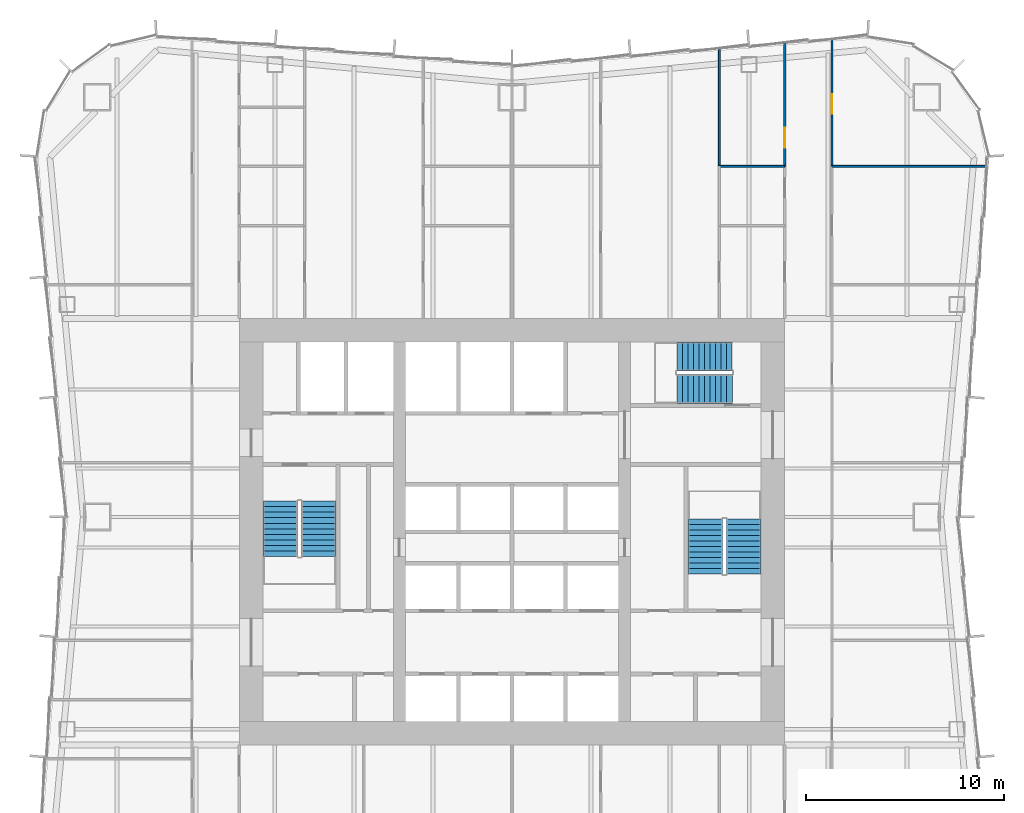
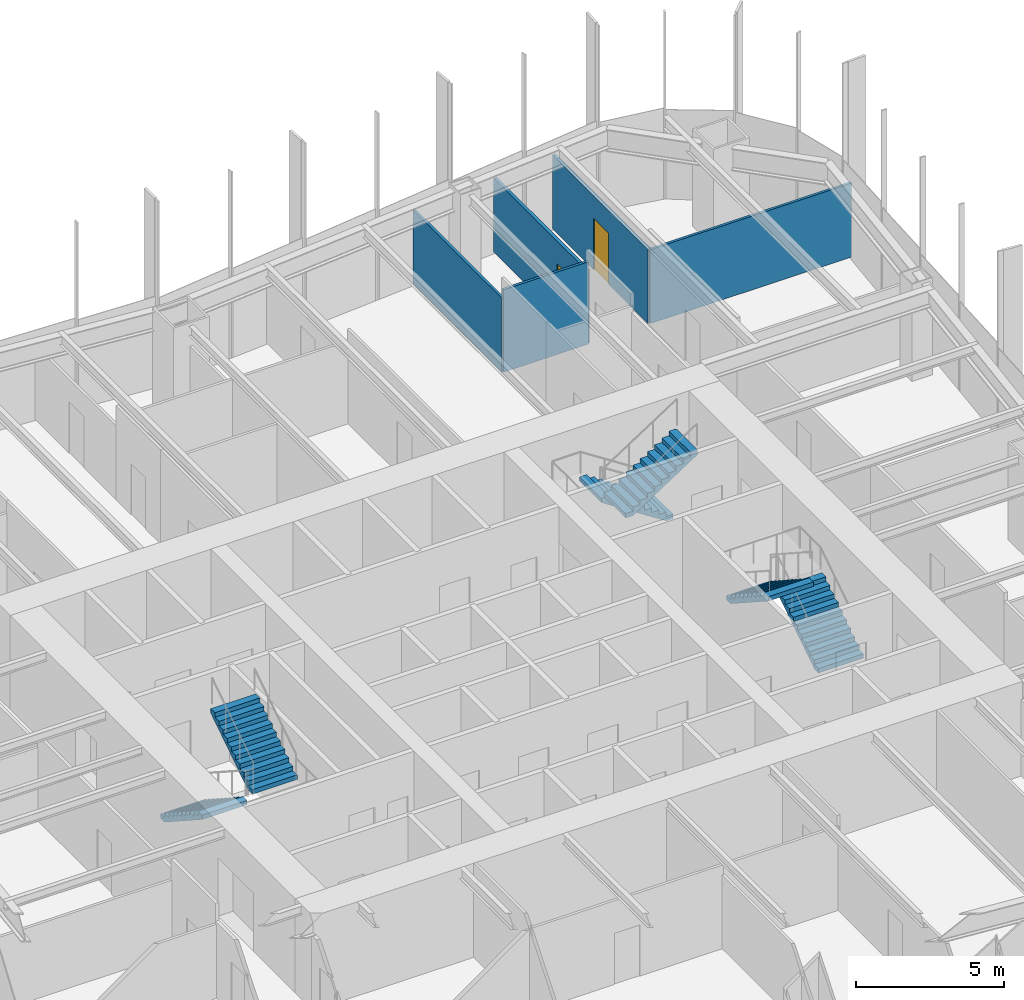
# One storey, part 12 of 13: 6 stair flights, 5 walls, 2 doors, 2 openings, 3 elements without a shape of their own.
"""IFC4 building model written with IfcOpenShell, lengths in metres."""

from ifc_helpers import new_model, si_unit, direction, frame, frame_2d, origin, place, context, subcontext, project, spatial, polyline, rectangle, outline, extrude, material, layer, layer_set, type_object, element, fill, aggregate, save


model = new_model("IFC4")

# Units and contexts
model_context = context("Model", 3, precision=1e-05, world=origin(), true_north=direction((0.0, 1.0)))
body_context = subcontext(model_context, "Body", "Model", "MODEL_VIEW")
ifc_project = project(units=[si_unit("LENGTHUNIT", "METRE"), si_unit("AREAUNIT", "SQUARE_METRE"), si_unit("VOLUMEUNIT", "CUBIC_METRE"), si_unit("PLANEANGLEUNIT", "RADIAN"), si_unit("MASSUNIT", "GRAM", prefix="KILO")], contexts=[model_context])

# Site, building, storey
site_placement = place(None, origin())
site = spatial("IfcSite", under=ifc_project, at=site_placement, CompositionType="ELEMENT")
building_placement = place(site_placement, origin())
building = spatial("IfcBuilding", under=site, at=building_placement, Name="Verdant Reach Tower", CompositionType="ELEMENT")
storey_placement = place(building_placement, frame((0.0, 0.0, 106.0)))
storey = spatial("IfcBuildingStorey", under=building, at=storey_placement, Name="L24", CompositionType="ELEMENT", Elevation=106.0)

# Walls
ifc_material_1 = material(Name="Gypsum board on steel studs", Category="steel")
ifc_layer_1 = layer(ifc_material_1, 0.10009765625)
ifc_layer_set_1 = layer_set([ifc_layer_1], Name="FL-W1 Partition 100")
wall_type_1 = type_object("IfcWallType", Name="FL-W1 Partition 100", PredefinedType="PARTITIONING", material=ifc_layer_set_1)
wall_1_placement = place(storey_placement, frame((24.038818359375, 46.5, 0.0), z_axis=(0.0, 0.0, 1.0), x_axis=(-1.0, 0.0, 0.0)))
element("IfcWall", 1, at=wall_1_placement, inside=storey, type_object=wall_type_1, Name="Partition 24.37", PredefinedType="PARTITIONING", context=body_context, shape_type="SweptSolid", body=[
    extrude(rectangle(XDim=7.8388671875, YDim=0.10009765625, at=frame_2d((3.91943359375, 0.0))), origin(), (0.0, 0.0, 1.0), 3.0400390625),
])
wall_2_placement = place(storey_placement, frame((13.800048828125, 46.5, 0.0), z_axis=(0.0, 0.0, 1.0), x_axis=(-1.0, 0.0, 0.0)))
element("IfcWall", 2, at=wall_2_placement, inside=storey, type_object=wall_type_1, Name="Partition 24.71", PredefinedType="PARTITIONING", context=body_context, shape_type="SweptSolid", body=[
    extrude(rectangle(XDim=3.300048828125, YDim=0.10009765625, at=frame_2d((1.64990234375, 0.0))), origin(), (0.0, 0.0, 1.0), 3.389892578125),
])
wall_3_placement = place(storey_placement, frame((10.5, 52.455078125, 0.0), z_axis=(0.0, 0.0, 1.0), x_axis=(0.0, -1.0, 0.0)))
element("IfcWall", 3, at=wall_3_placement, inside=storey, type_object=wall_type_1, Name="Partition 24.73", PredefinedType="PARTITIONING", context=body_context, shape_type="SweptSolid", body=[
    extrude(rectangle(XDim=5.958984375, YDim=0.10009765625, at=frame_2d((2.9794921875, 0.0))), origin(), (0.0, 0.0, 1.0), 3.0400390625),
])

# Wall, opening, door
ifc_material_2 = material(Name="Gypsum board on steel studs, fire rated", Category="steel")
ifc_layer_2 = layer(ifc_material_2, 0.125)
ifc_layer_set_2 = layer_set([ifc_layer_2], Name="FL-W2 Corridor wall 125")
wall_type_2 = type_object("IfcWallType", Name="FL-W2 Corridor wall 125", PredefinedType="PARTITIONING", material=ifc_layer_set_2)
wall_4_placement = place(storey_placement, frame((16.199951171875, 52.929931640625, 0.0), z_axis=(0.0, 0.0, 1.0), x_axis=(0.0, -1.0, 0.0)))
wall_4 = element("IfcWall", 4, at=wall_4_placement, inside=storey, type_object=wall_type_2, Name="Partition 24.20", PredefinedType="PARTITIONING", context=body_context, shape_type="SweptSolid", body=[
    extrude(rectangle(XDim=6.429931640625, YDim=0.125, at=frame_2d((3.21484375, 0.0))), origin(), (0.0, 0.0, 1.0), 3.0400390625),
])
opening_1_placement = place(wall_4_placement, frame((2.780029296875, 0.0, 0.0)))
opening_1 = element("IfcOpeningElement", 5, at=opening_1_placement, cuts=wall_4, Name="Opening D2", PredefinedType="OPENING", context=body_context, shape_type="SweptSolid", body=[
    extrude(rectangle(XDim=1.0, YDim=2.10009765625, at=frame_2d((0.5, 1.050048828125))), frame((0.0, 0.072509765625, 0.0), z_axis=(0.0, -1.0, 0.0), x_axis=(1.0, 0.0, 0.0)), (0.0, 0.0, 1.0), 0.14501953125),
])
ifc_material_3 = material(Name="Timber door leaf, fire rated", Category="wood")
door_type = type_object("IfcDoorType", Name="FL-D2 Entrance door 1000x2100 FD30", OperationType="NOTDEFINED", PredefinedType="DOOR", material=ifc_material_3)
door_1_placement = place(opening_1_placement, origin())
door_1 = element("IfcDoor", 6, at=door_1_placement, inside=storey, type_object=door_type, Name="Door 24-019", OperationType="SINGLE_SWING_RIGHT", OverallHeight=2.10009765625, OverallWidth=1.0, PredefinedType="DOOR", context=body_context, shape_type="SweptSolid", body=[
    extrude(rectangle(XDim=1.0, YDim=2.10009765625, at=frame_2d((0.5, 1.050048828125))), frame((0.0, 0.02490234375, 0.0), z_axis=(0.0, -1.0, 0.0), x_axis=(1.0, 0.0, 0.0)), (0.0, 0.0, 1.0), 0.050048828125),
])
fill(opening_1, door_1)

wall_5_placement = place(storey_placement, frame((13.800048828125, 46.5, 0.0), z_axis=(0.0, 0.0, 1.0), x_axis=(0.0, 1.0, 0.0)))
wall_5 = element("IfcWall", 7, at=wall_5_placement, inside=storey, type_object=wall_type_2, Name="Partition 24.26", PredefinedType="PARTITIONING", context=body_context, shape_type="SweptSolid", body=[
    extrude(rectangle(XDim=6.22998046875, YDim=0.125, at=frame_2d((3.114990234375, 0.0))), origin(), (0.0, 0.0, 1.0), 3.0400390625),
])
opening_2_placement = place(wall_5_placement, frame((0.949951171875, 0.0, 0.0)))
opening_2 = element("IfcOpeningElement", 8, at=opening_2_placement, cuts=wall_5, Name="Opening D2", PredefinedType="OPENING", context=body_context, shape_type="SweptSolid", body=[
    extrude(rectangle(XDim=1.0, YDim=2.10009765625, at=frame_2d((0.5, 1.050048828125))), frame((0.0, 0.072509765625, 0.0), z_axis=(0.0, -1.0, 0.0), x_axis=(1.0, 0.0, 0.0)), (0.0, 0.0, 1.0), 0.14501953125),
])
door_2_placement = place(opening_2_placement, origin())
door_2 = element("IfcDoor", 9, at=door_2_placement, inside=storey, type_object=door_type, Name="Door 24-025", OperationType="SINGLE_SWING_LEFT", OverallHeight=2.10009765625, OverallWidth=1.0, PredefinedType="DOOR", context=body_context, shape_type="SweptSolid", body=[
    extrude(rectangle(XDim=1.0, YDim=2.10009765625, at=frame_2d((0.5, 1.050048828125))), frame((0.0, 0.02490234375, 0.0), z_axis=(0.0, -1.0, 0.0), x_axis=(1.0, 0.0, 0.0)), (0.0, 0.0, 1.0), 0.050048828125),
])
fill(opening_2, door_2)

# Stair, stair flights
ifc_material_4 = material(Name="Concrete C40/50", Category="concrete")
stair_type = type_object("IfcStairType", Name="CO-STAIR", PredefinedType="HALF_TURN_STAIR", material=ifc_material_4)
stair_1_placement = place(storey_placement, origin())
stair_1 = element("IfcStair", 10, at=stair_1_placement, inside=storey, type_object=stair_type, Name="L24 Exit stair 1", PredefinedType="HALF_TURN_STAIR")
stair_flight_type = type_object("IfcStairFlightType", Name="CO-STAIR-FLIGHT", PredefinedType="STRAIGHT", material=ifc_material_4)
stair_flight_1_placement = place(storey_placement, frame((-11.72509765625, 29.550048828125, 0.0), z_axis=(0.0, 0.0, 1.0), x_axis=(0.0, -1.0, 0.0)))
stair_flight_1 = element("IfcStairFlight", 11, at=stair_flight_1_placement, type_object=stair_flight_type, Name="ST-1 flight 1", NumberOfRisers=11, NumberOfTreads=10, PredefinedType="STRAIGHT", RiserHeight=0.181818182, TreadLength=0.28, context=body_context, shape_type="SweptSolid", body=[
    extrude(outline(polyline([(0.0, 0.0), (0.0, 0.181884765625), (0.280029296875, 0.181884765625), (0.280029296875, 0.363525390625), (0.56005859375, 0.363525390625), (0.56005859375, 0.54541015625), (0.840087890625, 0.54541015625), (0.840087890625, 0.727294921875), (1.1201171875, 0.727294921875), (1.1201171875, 0.9091796875), (1.39990234375, 0.9091796875), (1.39990234375, 1.0908203125), (1.679931640625, 1.0908203125), (1.679931640625, 1.272705078125), (1.9599609375, 1.272705078125), (1.9599609375, 1.45458984375), (2.239990234375, 1.45458984375), (2.239990234375, 1.636474609375), (2.52001953125, 1.636474609375), (2.52001953125, 1.818115234375), (2.800048828125, 1.818115234375), (2.800048828125, 2.0), (2.800048828125, 1.639404296875), (0.275146484375, 0.0), (0.0, 0.0)])), frame((0.0, 0.875, 0.0), z_axis=(0.0, -1.0, 0.0), x_axis=(1.0, 0.0, 0.0)), (0.0, 0.0, 1.0), 1.75),
])
stair_flight_2_placement = place(storey_placement, frame((-9.77490234375, 26.75, 2.0), z_axis=(0.0, 0.0, 1.0), x_axis=(0.0, 1.0, 0.0)))
stair_flight_2 = element("IfcStairFlight", 12, at=stair_flight_2_placement, type_object=stair_flight_type, Name="ST-1 flight 2", NumberOfRisers=11, NumberOfTreads=10, PredefinedType="STRAIGHT", RiserHeight=0.181818182, TreadLength=0.28, context=body_context, shape_type="SweptSolid", body=[
    extrude(outline(polyline([(0.0, 0.0), (0.0, 0.181884765625), (0.280029296875, 0.181884765625), (0.280029296875, 0.363525390625), (0.56005859375, 0.363525390625), (0.56005859375, 0.54541015625), (0.840087890625, 0.54541015625), (0.840087890625, 0.727294921875), (1.1201171875, 0.727294921875), (1.1201171875, 0.9091796875), (1.39990234375, 0.9091796875), (1.39990234375, 1.0908203125), (1.679931640625, 1.0908203125), (1.679931640625, 1.272705078125), (1.9599609375, 1.272705078125), (1.9599609375, 1.45458984375), (2.239990234375, 1.45458984375), (2.239990234375, 1.636474609375), (2.52001953125, 1.636474609375), (2.52001953125, 1.818115234375), (2.800048828125, 1.818115234375), (2.800048828125, 2.0), (2.800048828125, 1.639404296875), (0.275146484375, 0.0), (0.0, 0.0)])), frame((0.0, 0.875, 0.0), z_axis=(0.0, -1.0, 0.0), x_axis=(1.0, 0.0, 0.0)), (0.0, 0.0, 1.0), 1.75),
])
aggregate(stair_1, [stair_flight_1, stair_flight_2])

stair_2_placement = place(storey_placement, origin())
stair_2 = element("IfcStair", 13, at=stair_2_placement, inside=storey, type_object=stair_type, Name="L24 Exit stair 2", PredefinedType="HALF_TURN_STAIR")
stair_flight_3_placement = place(storey_placement, frame((11.72509765625, 25.85009765625, 0.0), z_axis=(0.0, 0.0, 1.0), x_axis=(0.0, 1.0, 0.0)))
stair_flight_3 = element("IfcStairFlight", 14, at=stair_flight_3_placement, type_object=stair_flight_type, Name="ST-2 flight 1", NumberOfRisers=11, NumberOfTreads=10, PredefinedType="STRAIGHT", RiserHeight=0.181818182, TreadLength=0.28, context=body_context, shape_type="SweptSolid", body=[
    extrude(outline(polyline([(0.0, 0.0), (0.0, 0.181884765625), (0.280029296875, 0.181884765625), (0.280029296875, 0.363525390625), (0.56005859375, 0.363525390625), (0.56005859375, 0.54541015625), (0.840087890625, 0.54541015625), (0.840087890625, 0.727294921875), (1.1201171875, 0.727294921875), (1.1201171875, 0.9091796875), (1.39990234375, 0.9091796875), (1.39990234375, 1.0908203125), (1.679931640625, 1.0908203125), (1.679931640625, 1.272705078125), (1.9599609375, 1.272705078125), (1.9599609375, 1.45458984375), (2.239990234375, 1.45458984375), (2.239990234375, 1.636474609375), (2.52001953125, 1.636474609375), (2.52001953125, 1.818115234375), (2.800048828125, 1.818115234375), (2.800048828125, 2.0), (2.800048828125, 1.639404296875), (0.275146484375, 0.0), (0.0, 0.0)])), frame((0.0, 0.875, 0.0), z_axis=(0.0, -1.0, 0.0), x_axis=(1.0, 0.0, 0.0)), (0.0, 0.0, 1.0), 1.75),
])
stair_flight_4_placement = place(storey_placement, frame((9.77490234375, 28.64990234375, 2.0), z_axis=(0.0, 0.0, 1.0), x_axis=(0.0, -1.0, 0.0)))
stair_flight_4 = element("IfcStairFlight", 15, at=stair_flight_4_placement, type_object=stair_flight_type, Name="ST-2 flight 2", NumberOfRisers=11, NumberOfTreads=10, PredefinedType="STRAIGHT", RiserHeight=0.181818182, TreadLength=0.28, context=body_context, shape_type="SweptSolid", body=[
    extrude(outline(polyline([(0.0, 0.0), (0.0, 0.181884765625), (0.280029296875, 0.181884765625), (0.280029296875, 0.363525390625), (0.56005859375, 0.363525390625), (0.56005859375, 0.54541015625), (0.840087890625, 0.54541015625), (0.840087890625, 0.727294921875), (1.1201171875, 0.727294921875), (1.1201171875, 0.9091796875), (1.39990234375, 0.9091796875), (1.39990234375, 1.0908203125), (1.679931640625, 1.0908203125), (1.679931640625, 1.272705078125), (1.9599609375, 1.272705078125), (1.9599609375, 1.45458984375), (2.239990234375, 1.45458984375), (2.239990234375, 1.636474609375), (2.52001953125, 1.636474609375), (2.52001953125, 1.818115234375), (2.800048828125, 1.818115234375), (2.800048828125, 2.0), (2.800048828125, 1.639404296875), (0.275146484375, 0.0), (0.0, 0.0)])), frame((0.0, 0.875, 0.0), z_axis=(0.0, -1.0, 0.0), x_axis=(1.0, 0.0, 0.0)), (0.0, 0.0, 1.0), 1.75),
])
aggregate(stair_2, [stair_flight_3, stair_flight_4])

stair_3_placement = place(storey_placement, origin())
stair_3 = element("IfcStair", 16, at=stair_3_placement, inside=storey, type_object=stair_type, Name="L24 Exit stair 3", PredefinedType="HALF_TURN_STAIR")
stair_flight_5_placement = place(storey_placement, frame((11.14990234375, 36.875, 0.0), z_axis=(0.0, 0.0, 1.0), x_axis=(-1.0, 0.0, 0.0)))
stair_flight_5 = element("IfcStairFlight", 17, at=stair_flight_5_placement, type_object=stair_flight_type, Name="ST-3 flight 1", NumberOfRisers=11, NumberOfTreads=10, PredefinedType="STRAIGHT", RiserHeight=0.181818182, TreadLength=0.28, context=body_context, shape_type="SweptSolid", body=[
    extrude(outline(polyline([(0.0, 0.0), (0.0, 0.181884765625), (0.280029296875, 0.181884765625), (0.280029296875, 0.363525390625), (0.56005859375, 0.363525390625), (0.56005859375, 0.54541015625), (0.840087890625, 0.54541015625), (0.840087890625, 0.727294921875), (1.1201171875, 0.727294921875), (1.1201171875, 0.9091796875), (1.39990234375, 0.9091796875), (1.39990234375, 1.0908203125), (1.679931640625, 1.0908203125), (1.679931640625, 1.272705078125), (1.9599609375, 1.272705078125), (1.9599609375, 1.45458984375), (2.239990234375, 1.45458984375), (2.239990234375, 1.636474609375), (2.52001953125, 1.636474609375), (2.52001953125, 1.818115234375), (2.800048828125, 1.818115234375), (2.800048828125, 2.0), (2.800048828125, 1.639404296875), (0.275146484375, 0.0), (0.0, 0.0)])), frame((0.0, 0.72509765625, 0.0), z_axis=(0.0, -1.0, 0.0), x_axis=(1.0, 0.0, 0.0)), (0.0, 0.0, 1.0), 1.449951171875),
])
stair_flight_6_placement = place(storey_placement, frame((8.35009765625, 35.22509765625, 2.0), z_axis=(0.0, 0.0, 1.0), x_axis=(1.0, 0.0, 0.0)))
stair_flight_6 = element("IfcStairFlight", 18, at=stair_flight_6_placement, type_object=stair_flight_type, Name="ST-3 flight 2", NumberOfRisers=11, NumberOfTreads=10, PredefinedType="STRAIGHT", RiserHeight=0.181818182, TreadLength=0.28, context=body_context, shape_type="SweptSolid", body=[
    extrude(outline(polyline([(0.0, 0.0), (0.0, 0.181884765625), (0.280029296875, 0.181884765625), (0.280029296875, 0.363525390625), (0.56005859375, 0.363525390625), (0.56005859375, 0.54541015625), (0.840087890625, 0.54541015625), (0.840087890625, 0.727294921875), (1.1201171875, 0.727294921875), (1.1201171875, 0.9091796875), (1.39990234375, 0.9091796875), (1.39990234375, 1.0908203125), (1.679931640625, 1.0908203125), (1.679931640625, 1.272705078125), (1.9599609375, 1.272705078125), (1.9599609375, 1.45458984375), (2.239990234375, 1.45458984375), (2.239990234375, 1.636474609375), (2.52001953125, 1.636474609375), (2.52001953125, 1.818115234375), (2.800048828125, 1.818115234375), (2.800048828125, 2.0), (2.800048828125, 1.639404296875), (0.275146484375, 0.0), (0.0, 0.0)])), frame((0.0, 0.72509765625, 0.0), z_axis=(0.0, -1.0, 0.0), x_axis=(1.0, 0.0, 0.0)), (0.0, 0.0, 1.0), 1.449951171875),
])
aggregate(stair_3, [stair_flight_5, stair_flight_6])

save(model, "model.ifc")
